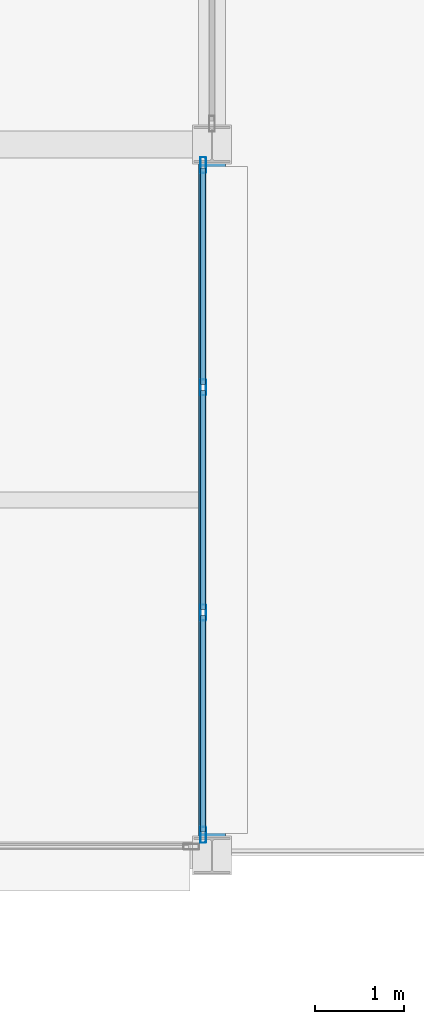
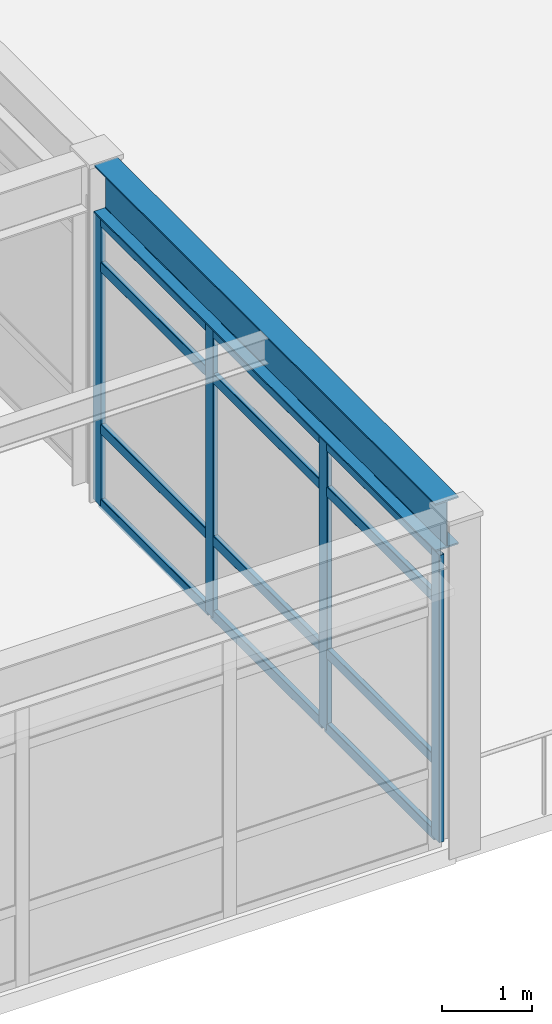
# One storey, part 7 of 61: 16 members, 1 beam, 1 element without a shape of its own.
"""IFC4 building model written with IfcOpenShell, lengths in metres."""

import ifcopenshell
import ifcopenshell.guid

model = None  # the IFC model being written
_history = None  # IfcOwnerHistory: only IFC2X3 demands one
_inside = {}  # id of a spatial element -> (the spatial element, [elements in it])
_under = {}  # id of a project, library or spatial element -> (it, [spatial elements below it])
_declared = {}  # id of a project -> (the project, [libraries it declares])
_typed = {}  # id of a type object -> (the type object, [elements of that type])
_made_of = {}  # id of a material, layer set ... -> (it, [elements and type objects made of it])


def new_model(schema):
    """Start an empty IFC model of exactly this schema.

    Asked for "IFC4X3", IfcOpenShell would pick the latest addendum, in which some entities
    have other attributes; the version numbers below select the first issue.
    IFC2X3 requires an IfcOwnerHistory on every rooted entity: one is made here for all.
    """
    global model, _history
    if schema == "IFC4X3":
        model = ifcopenshell.file(schema_version=(4, 3, 0, 0))
    else:
        model = ifcopenshell.file(schema=schema)
    _inside.clear()
    _under.clear()
    _declared.clear()
    _typed.clear()
    _made_of.clear()
    _history = None
    if model.schema == "IFC2X3":
        org = make("IfcOrganization", Name="unknown")
        user = make(
            "IfcPersonAndOrganization",
            ThePerson=make("IfcPerson", FamilyName="unknown"),
            TheOrganization=org,
        )
        app = make(
            "IfcApplication",
            ApplicationDeveloper=org,
            Version="unknown",
            ApplicationFullName="unknown",
            ApplicationIdentifier="unknown",
        )
        _history = make(
            "IfcOwnerHistory",
            OwningUser=user,
            OwningApplication=app,
            ChangeAction="ADDED",
            CreationDate=0,
        )
    return model


def make(cls, **values):
    """One entity of the class cls with the attributes given. An attribute that is None is left unset."""
    return model.create_entity(
        cls, **{name: value for name, value in values.items() if value is not None}
    )


def rooted(cls, **values):
    """An entity with a GlobalId (a new one), such as an element, a storey or a relation."""
    return make(cls, GlobalId=ifcopenshell.guid.new(), OwnerHistory=_history, **values)


def si_unit(unit_type, name, prefix=None):
    """IfcSIUnit, for example si_unit("LENGTHUNIT", "METRE", prefix="MILLI")."""
    return make("IfcSIUnit", UnitType=unit_type, Prefix=prefix, Name=name)


def assignment(units):
    """IfcUnitAssignment: the units of a project."""
    return None if units is None else make("IfcUnitAssignment", Units=units)


def point(xyz):
    """IfcCartesianPoint."""
    return None if xyz is None else make("IfcCartesianPoint", Coordinates=xyz)


def direction(xyz):
    """IfcDirection."""
    return None if xyz is None else make("IfcDirection", DirectionRatios=xyz)


def frame(location, z_axis=None, x_axis=None):
    """IfcAxis2Placement3D, a coordinate frame: its origin and axes. An axis left out is left unset."""
    return make(
        "IfcAxis2Placement3D",
        Location=point(location),
        Axis=direction(z_axis),
        RefDirection=direction(x_axis),
    )


def frame_2d(location, x_axis=None):
    """IfcAxis2Placement2D, a coordinate frame in the plane: its origin and x axis."""
    return make(
        "IfcAxis2Placement2D", Location=point(location), RefDirection=direction(x_axis)
    )


def origin():
    """The frame at (0, 0, 0) with its axes left unset."""
    return frame((0.0, 0.0, 0.0))


def origin_2d():
    """The frame at (0, 0) in the plane with its x axis left unset."""
    return frame_2d((0.0, 0.0))


def place(relative_to, where):
    """IfcLocalPlacement: puts the frame where relative to a parent placement (None: the world)."""
    return make(
        "IfcLocalPlacement", PlacementRelTo=relative_to, RelativePlacement=where
    )


def context(
    kind, dimensions, precision=None, world=None, true_north=None, identifier=None
):
    """IfcGeometricRepresentationContext, for example the 3D "Model" context."""
    return make(
        "IfcGeometricRepresentationContext",
        ContextIdentifier=identifier,
        ContextType=kind,
        CoordinateSpaceDimension=dimensions,
        Precision=precision,
        WorldCoordinateSystem=world,
        TrueNorth=true_north,
    )


def subcontext(parent, identifier, kind, view, scale=None):
    """IfcGeometricRepresentationSubContext, for example "Body" below "Model"."""
    return make(
        "IfcGeometricRepresentationSubContext",
        ContextIdentifier=identifier,
        ContextType=kind,
        ParentContext=parent,
        TargetScale=scale,
        TargetView=view,
    )


def project(units=None, contexts=None):
    """IfcProject with its units and contexts."""
    return rooted(
        "IfcProject",
        Name="project",
        RepresentationContexts=contexts,
        UnitsInContext=assignment(units),
    )


def spatial(cls, under=None, at=None, **own):
    """A site, building, storey or space (cls), placed at a placement, below another one or the project."""
    s = rooted(cls, ObjectPlacement=at, **own)
    if under is not None:
        _under.setdefault(under.id(), (under, []))[1].append(s)
    return s


def profile(cls, at=None, kind="AREA", **sizes):
    """A parametric profile (cls). Its sizes go by their IFC names, for example OverallWidth=200.0."""
    return make(cls, ProfileType=kind, Position=at, **sizes)


def hollow_rectangle(**sizes):
    """IfcRectangleHollowProfileDef."""
    return profile("IfcRectangleHollowProfileDef", **sizes)


def i_section(**sizes):
    """IfcIShapeProfileDef."""
    return profile("IfcIShapeProfileDef", **sizes)


def extrude(swept, where, along, depth):
    """IfcExtrudedAreaSolid: the profile swept, set in the frame where, extruded along a direction by depth."""
    return make(
        "IfcExtrudedAreaSolid",
        SweptArea=swept,
        Position=where,
        ExtrudedDirection=direction(along),
        Depth=depth,
    )


def shape(context_of_items, identifier, shape_type, items):
    """IfcShapeRepresentation: the items that make up one representation, for example the "Body"."""
    return make(
        "IfcShapeRepresentation",
        ContextOfItems=context_of_items,
        RepresentationIdentifier=identifier,
        RepresentationType=shape_type,
        Items=items,
    )


def material(Name=None, Category=None):
    """IfcMaterial."""
    return make("IfcMaterial", Name=Name, Category=Category)


def layer(
    of_material, thickness, ventilated=None, Name=None, Category=None, Priority=None
):
    """IfcMaterialLayer: one layer of a wall or slab, of a material (None: an air gap)."""
    return make(
        "IfcMaterialLayer",
        Material=of_material,
        LayerThickness=thickness,
        IsVentilated=ventilated,
        Name=Name,
        Category=Category,
        Priority=Priority,
    )


def layer_set(layers, Name=None):
    """IfcMaterialLayerSet."""
    return make("IfcMaterialLayerSet", MaterialLayers=layers, LayerSetName=Name)


def material_profile(
    of_material, cross_section, Name=None, Category=None, Priority=None
):
    """IfcMaterialProfile: a cross section and its material."""
    return make(
        "IfcMaterialProfile",
        Name=Name,
        Material=of_material,
        Profile=cross_section,
        Priority=Priority,
        Category=Category,
    )


def profile_set(profiles, Name=None, composite=None):
    """IfcMaterialProfileSet."""
    return make(
        "IfcMaterialProfileSet",
        Name=Name,
        MaterialProfiles=profiles,
        CompositeProfile=composite,
    )


def made_of(thing, what):
    """Note that an element or type object is made of a material, layer set ...; save() writes the relation."""
    if what is not None:
        _made_of.setdefault(what.id(), (what, []))[1].append(thing)
    return thing


def type_object(cls, material=None, **own):
    """A type object (cls), such as IfcWallType, which elements share."""
    return made_of(rooted(cls, **own), material)


def element(
    cls,
    number,
    at=None,
    inside=None,
    cuts=None,
    type_object=None,
    material=None,
    context=None,
    identifier="Body",
    shape_type=None,
    held_by="IfcProductDefinitionShape",
    body=None,
    shapes=None,
    **own,
):
    """One element of the class cls, such as IfcWall. Its Tag is "e" and its number.

    at: its placement. inside: the storey or other place that contains it. cuts: it is an
    opening in that element (IfcRelVoidsElement). A single representation is given by context,
    identifier, shape_type and body (its items); several are given by shapes. held_by: the class
    of the entity that holds the representations. save() writes the other relations.
    """
    e = rooted(cls, Tag="e%d" % number, ObjectPlacement=at, **own)
    if body is not None:
        shapes = [shape(context, identifier, shape_type, body)]
    if shapes is not None:
        e.Representation = make(held_by, Representations=shapes)
    if inside is not None:
        _inside.setdefault(inside.id(), (inside, []))[1].append(e)
    if cuts is not None:
        rooted(
            "IfcRelVoidsElement", RelatingBuildingElement=cuts, RelatedOpeningElement=e
        )
    if type_object is not None:
        _typed.setdefault(type_object.id(), (type_object, []))[1].append(e)
    return made_of(e, material)


def aggregate(whole, parts):
    """IfcRelAggregates: a whole, such as a stair, and the parts it consists of."""
    return rooted("IfcRelAggregates", RelatingObject=whole, RelatedObjects=parts)


def save(model, path):
    """Write the relations noted so far, then the file.

    IfcRelAggregates (storeys below a building ...), IfcRelContainedInSpatialStructure (elements
    in a storey), IfcRelDefinesByType, IfcRelAssociatesMaterial and IfcRelDeclares: one each for
    every whole, place, type object, material and project.
    """
    for whole, parts in _under.values():
        aggregate(whole, parts)
    for where, things in _inside.values():
        rooted(
            "IfcRelContainedInSpatialStructure",
            RelatedElements=things,
            RelatingStructure=where,
        )
    for kind, things in _typed.values():
        rooted("IfcRelDefinesByType", RelatedObjects=things, RelatingType=kind)
    for what, things in _made_of.values():
        rooted("IfcRelAssociatesMaterial", RelatedObjects=things, RelatingMaterial=what)
    for by, libraries in _declared.values():
        rooted("IfcRelDeclares", RelatingContext=by, RelatedDefinitions=libraries)
    model.write(path)


model = new_model("IFC4")

# Units and contexts
model_context = context("Model", 3, precision=1e-05, world=origin(), true_north=direction((0.0, 1.0)))
body_context = subcontext(model_context, "Body", "Model", "MODEL_VIEW")
ifc_project = project(units=[si_unit("LENGTHUNIT", "METRE"), si_unit("AREAUNIT", "SQUARE_METRE"), si_unit("VOLUMEUNIT", "CUBIC_METRE"), si_unit("PLANEANGLEUNIT", "RADIAN"), si_unit("MASSUNIT", "GRAM", prefix="KILO")], contexts=[model_context])

# Site, building, storey
site_placement = place(None, origin())
site = spatial("IfcSite", under=ifc_project, at=site_placement, CompositionType="ELEMENT")
building_placement = place(site_placement, origin())
building = spatial("IfcBuilding", under=site, at=building_placement, Name="Kazehara Bluff Congress Hotel", CompositionType="ELEMENT")
storey_placement = place(building_placement, frame((0.0, 0.0, 19.800048828125)))
storey = spatial("IfcBuildingStorey", under=building, at=storey_placement, Name="L04", CompositionType="ELEMENT", Elevation=19.800048828125)

# Curtain wall, members
ifc_material_1 = material(Name="Anodised aluminium", Category="aluminium")
ifc_layer = layer(ifc_material_1, 0.159912109375)
ifc_layer_set = layer_set([ifc_layer], Name="Anodised aluminium")
curtain_wall_type = type_object("IfcCurtainWallType", Name="TP-CW-63", PredefinedType="NOTDEFINED", material=ifc_layer_set)
curtain_wall_placement = place(storey_placement, origin())
curtain_wall = element("IfcCurtainWall", 1, at=curtain_wall_placement, inside=storey, type_object=curtain_wall_type, Name="L04 curtain wall CW-63 CW-ENC-V4-L04-8435-2000", PredefinedType="NOTDEFINED")
ifc_material_2 = material(Name="Anodised aluminium", Category="aluminium")
ifc_material_profile_1 = material_profile(ifc_material_2, hollow_rectangle(XDim=0.06494140625, YDim=0.179931640625, WallThickness=0.00390625, InnerFilletRadius=0.00390625, OuterFilletRadius=0.008056640625, at=origin_2d()))
ifc_profile_set_1 = profile_set([ifc_material_profile_1], Name="Anodised aluminium")
member_type_1 = type_object("IfcMemberType", Name="TP-CWM-02", PredefinedType="MULLION", material=ifc_profile_set_1)
member_1_placement = place(storey_placement, frame((84.35009765625, 23.767578125, 0.0), z_axis=(0.0, 0.0, 1.0), x_axis=(1.0, 0.0, 0.0)))
member_1 = element("IfcMember", 2, at=member_1_placement, type_object=member_type_1, Name="CW-63 mullion 1", PredefinedType="MULLION", context=body_context, shape_type="SweptSolid", body=[
    extrude(hollow_rectangle(XDim=0.06494140625, YDim=0.179931640625, WallThickness=0.00390625, InnerFilletRadius=0.00390625, OuterFilletRadius=0.008056640625, at=origin_2d()), origin(), (0.0, 0.0, 1.0), 3.905029296875),
])
member_2_placement = place(storey_placement, frame((84.35009765625, 21.2666015625, 0.0), z_axis=(0.0, 0.0, 1.0), x_axis=(1.0, 0.0, 0.0)))
member_2 = element("IfcMember", 3, at=member_2_placement, type_object=member_type_1, Name="CW-63 mullion 2", PredefinedType="MULLION", context=body_context, shape_type="SweptSolid", body=[
    extrude(hollow_rectangle(XDim=0.06494140625, YDim=0.179931640625, WallThickness=0.00390625, InnerFilletRadius=0.00390625, OuterFilletRadius=0.008056640625, at=origin_2d()), origin(), (0.0, 0.0, 1.0), 3.905029296875),
])
member_3_placement = place(storey_placement, frame((84.35009765625, 18.7333984375, 0.0), z_axis=(0.0, 0.0, 1.0), x_axis=(1.0, 0.0, 0.0)))
member_3 = element("IfcMember", 4, at=member_3_placement, type_object=member_type_1, Name="CW-63 mullion 3", PredefinedType="MULLION", context=body_context, shape_type="SweptSolid", body=[
    extrude(hollow_rectangle(XDim=0.06494140625, YDim=0.179931640625, WallThickness=0.00390625, InnerFilletRadius=0.00390625, OuterFilletRadius=0.008056640625, at=origin_2d()), origin(), (0.0, 0.0, 1.0), 3.905029296875),
])
member_4_placement = place(storey_placement, frame((84.35009765625, 16.232421875, 0.0), z_axis=(0.0, 0.0, 1.0), x_axis=(1.0, 0.0, 0.0)))
member_4 = element("IfcMember", 5, at=member_4_placement, type_object=member_type_1, Name="CW-63 mullion 4", PredefinedType="MULLION", context=body_context, shape_type="SweptSolid", body=[
    extrude(hollow_rectangle(XDim=0.06494140625, YDim=0.179931640625, WallThickness=0.00390625, InnerFilletRadius=0.00390625, OuterFilletRadius=0.008056640625, at=origin_2d()), origin(), (0.0, 0.0, 1.0), 3.905029296875),
])
ifc_material_3 = material(Name="Anodised aluminium", Category="aluminium")
ifc_material_profile_2 = material_profile(ifc_material_3, hollow_rectangle(XDim=0.06494140625, YDim=0.139892578125, WallThickness=0.00390625, InnerFilletRadius=0.00390625, OuterFilletRadius=0.008056640625, at=origin_2d()))
ifc_profile_set_2 = profile_set([ifc_material_profile_2], Name="Anodised aluminium")
member_type_2 = type_object("IfcMemberType", Name="TP-CWT-02", PredefinedType="USERDEFINED", material=ifc_profile_set_2)
member_5_placement = place(storey_placement, frame((84.35009765625, 23.735107421875, 0.032470703125), z_axis=(0.0, -1.0, 0.0), x_axis=(1.0, 0.0, 0.0)))
member_5 = element("IfcMember", 6, at=member_5_placement, type_object=member_type_2, Name="CW-63 transom 1.1", ObjectType="TRANSOM", PredefinedType="USERDEFINED", context=body_context, shape_type="SweptSolid", body=[
    extrude(hollow_rectangle(XDim=0.06494140625, YDim=0.139892578125, WallThickness=0.00390625, InnerFilletRadius=0.00390625, OuterFilletRadius=0.008056640625, at=origin_2d()), origin(), (0.0, 0.0, 1.0), 2.43603515625),
])
member_6_placement = place(storey_placement, frame((84.35009765625, 23.735107421875, 1.050048828125), z_axis=(0.0, -1.0, 0.0), x_axis=(1.0, 0.0, 0.0)))
member_6 = element("IfcMember", 7, at=member_6_placement, type_object=member_type_2, Name="CW-63 transom 1.2", ObjectType="TRANSOM", PredefinedType="USERDEFINED", context=body_context, shape_type="SweptSolid", body=[
    extrude(hollow_rectangle(XDim=0.06494140625, YDim=0.139892578125, WallThickness=0.00390625, InnerFilletRadius=0.00390625, OuterFilletRadius=0.008056640625, at=origin_2d()), origin(), (0.0, 0.0, 1.0), 2.43603515625),
])
member_7_placement = place(storey_placement, frame((84.35009765625, 23.735107421875, 3.2548828125), z_axis=(0.0, -1.0, 0.0), x_axis=(1.0, 0.0, 0.0)))
member_7 = element("IfcMember", 8, at=member_7_placement, type_object=member_type_2, Name="CW-63 transom 1.3", ObjectType="TRANSOM", PredefinedType="USERDEFINED", context=body_context, shape_type="SweptSolid", body=[
    extrude(hollow_rectangle(XDim=0.06494140625, YDim=0.139892578125, WallThickness=0.00390625, InnerFilletRadius=0.00390625, OuterFilletRadius=0.008056640625, at=origin_2d()), origin(), (0.0, 0.0, 1.0), 2.43603515625),
])
member_8_placement = place(storey_placement, frame((84.35009765625, 23.735107421875, 3.87255859375), z_axis=(0.0, -1.0, 0.0), x_axis=(1.0, 0.0, 0.0)))
member_8 = element("IfcMember", 9, at=member_8_placement, type_object=member_type_2, Name="CW-63 transom 1.4", ObjectType="TRANSOM", PredefinedType="USERDEFINED", context=body_context, shape_type="SweptSolid", body=[
    extrude(hollow_rectangle(XDim=0.06494140625, YDim=0.139892578125, WallThickness=0.00390625, InnerFilletRadius=0.00390625, OuterFilletRadius=0.008056640625, at=origin_2d()), origin(), (0.0, 0.0, 1.0), 2.43603515625),
])
member_9_placement = place(storey_placement, frame((84.35009765625, 21.234130859375, 0.032470703125), z_axis=(0.0, -1.0, 0.0), x_axis=(1.0, 0.0, 0.0)))
member_9 = element("IfcMember", 10, at=member_9_placement, type_object=member_type_2, Name="CW-63 transom 2.1", ObjectType="TRANSOM", PredefinedType="USERDEFINED", context=body_context, shape_type="SweptSolid", body=[
    extrude(hollow_rectangle(XDim=0.06494140625, YDim=0.139892578125, WallThickness=0.00390625, InnerFilletRadius=0.00390625, OuterFilletRadius=0.008056640625, at=origin_2d()), origin(), (0.0, 0.0, 1.0), 2.46826171875),
])
member_10_placement = place(storey_placement, frame((84.35009765625, 21.234130859375, 1.050048828125), z_axis=(0.0, -1.0, 0.0), x_axis=(1.0, 0.0, 0.0)))
member_10 = element("IfcMember", 11, at=member_10_placement, type_object=member_type_2, Name="CW-63 transom 2.2", ObjectType="TRANSOM", PredefinedType="USERDEFINED", context=body_context, shape_type="SweptSolid", body=[
    extrude(hollow_rectangle(XDim=0.06494140625, YDim=0.139892578125, WallThickness=0.00390625, InnerFilletRadius=0.00390625, OuterFilletRadius=0.008056640625, at=origin_2d()), origin(), (0.0, 0.0, 1.0), 2.46826171875),
])
member_11_placement = place(storey_placement, frame((84.35009765625, 21.234130859375, 3.2548828125), z_axis=(0.0, -1.0, 0.0), x_axis=(1.0, 0.0, 0.0)))
member_11 = element("IfcMember", 12, at=member_11_placement, type_object=member_type_2, Name="CW-63 transom 2.3", ObjectType="TRANSOM", PredefinedType="USERDEFINED", context=body_context, shape_type="SweptSolid", body=[
    extrude(hollow_rectangle(XDim=0.06494140625, YDim=0.139892578125, WallThickness=0.00390625, InnerFilletRadius=0.00390625, OuterFilletRadius=0.008056640625, at=origin_2d()), origin(), (0.0, 0.0, 1.0), 2.46826171875),
])
member_12_placement = place(storey_placement, frame((84.35009765625, 21.234130859375, 3.87255859375), z_axis=(0.0, -1.0, 0.0), x_axis=(1.0, 0.0, 0.0)))
member_12 = element("IfcMember", 13, at=member_12_placement, type_object=member_type_2, Name="CW-63 transom 2.4", ObjectType="TRANSOM", PredefinedType="USERDEFINED", context=body_context, shape_type="SweptSolid", body=[
    extrude(hollow_rectangle(XDim=0.06494140625, YDim=0.139892578125, WallThickness=0.00390625, InnerFilletRadius=0.00390625, OuterFilletRadius=0.008056640625, at=origin_2d()), origin(), (0.0, 0.0, 1.0), 2.46826171875),
])
member_13_placement = place(storey_placement, frame((84.35009765625, 18.700927734375, 0.032470703125), z_axis=(0.0, -1.0, 0.0), x_axis=(1.0, 0.0, 0.0)))
member_13 = element("IfcMember", 14, at=member_13_placement, type_object=member_type_2, Name="CW-63 transom 3.1", ObjectType="TRANSOM", PredefinedType="USERDEFINED", context=body_context, shape_type="SweptSolid", body=[
    extrude(hollow_rectangle(XDim=0.06494140625, YDim=0.139892578125, WallThickness=0.00390625, InnerFilletRadius=0.00390625, OuterFilletRadius=0.008056640625, at=origin_2d()), origin(), (0.0, 0.0, 1.0), 2.43603515625),
])
member_14_placement = place(storey_placement, frame((84.35009765625, 18.700927734375, 1.050048828125), z_axis=(0.0, -1.0, 0.0), x_axis=(1.0, 0.0, 0.0)))
member_14 = element("IfcMember", 15, at=member_14_placement, type_object=member_type_2, Name="CW-63 transom 3.2", ObjectType="TRANSOM", PredefinedType="USERDEFINED", context=body_context, shape_type="SweptSolid", body=[
    extrude(hollow_rectangle(XDim=0.06494140625, YDim=0.139892578125, WallThickness=0.00390625, InnerFilletRadius=0.00390625, OuterFilletRadius=0.008056640625, at=origin_2d()), origin(), (0.0, 0.0, 1.0), 2.43603515625),
])
member_15_placement = place(storey_placement, frame((84.35009765625, 18.700927734375, 3.2548828125), z_axis=(0.0, -1.0, 0.0), x_axis=(1.0, 0.0, 0.0)))
member_15 = element("IfcMember", 16, at=member_15_placement, type_object=member_type_2, Name="CW-63 transom 3.3", ObjectType="TRANSOM", PredefinedType="USERDEFINED", context=body_context, shape_type="SweptSolid", body=[
    extrude(hollow_rectangle(XDim=0.06494140625, YDim=0.139892578125, WallThickness=0.00390625, InnerFilletRadius=0.00390625, OuterFilletRadius=0.008056640625, at=origin_2d()), origin(), (0.0, 0.0, 1.0), 2.43603515625),
])
member_16_placement = place(storey_placement, frame((84.35009765625, 18.700927734375, 3.87255859375), z_axis=(0.0, -1.0, 0.0), x_axis=(1.0, 0.0, 0.0)))
member_16 = element("IfcMember", 17, at=member_16_placement, type_object=member_type_2, Name="CW-63 transom 3.4", ObjectType="TRANSOM", PredefinedType="USERDEFINED", context=body_context, shape_type="SweptSolid", body=[
    extrude(hollow_rectangle(XDim=0.06494140625, YDim=0.139892578125, WallThickness=0.00390625, InnerFilletRadius=0.00390625, OuterFilletRadius=0.008056640625, at=origin_2d()), origin(), (0.0, 0.0, 1.0), 2.43603515625),
])
aggregate(curtain_wall, [member_1, member_2, member_3, member_4, member_5, member_6, member_7, member_8, member_9, member_10, member_11, member_12, member_13, member_14, member_15, member_16])

# Beam
ifc_material_4 = material(Name="Steel SN490B", Category="steel")
ifc_material_profile_3 = material_profile(ifc_material_4, i_section(OverallWidth=0.300048828125, OverallDepth=0.64990234375, WebThickness=0.011962890625, FlangeThickness=0.02001953125, FilletRadius=0.012939453125, at=origin_2d()))
ifc_profile_set_3 = profile_set([ifc_material_profile_3], Name="Steel SN490B")
beam_type = type_object("IfcBeamType", Name="TP-G-03", PredefinedType="BEAM", material=ifc_profile_set_3)
beam_placement = place(storey_placement, frame((84.449951171875, 16.199951171875, 4.2548828125), z_axis=(0.0, 1.0, 0.0), x_axis=(-1.0, 0.0, 0.0)))
element("IfcBeam", 18, at=beam_placement, inside=storey, type_object=beam_type, Name="L04 girder G-03 13", PredefinedType="BEAM", context=body_context, shape_type="SweptSolid", body=[
    extrude(i_section(OverallWidth=0.300048828125, OverallDepth=0.64990234375, WebThickness=0.011962890625, FlangeThickness=0.02001953125, FilletRadius=0.012939453125, at=origin_2d()), origin(), (0.0, 0.0, 1.0), 7.60009765625),
])

save(model, "model.ifc")
